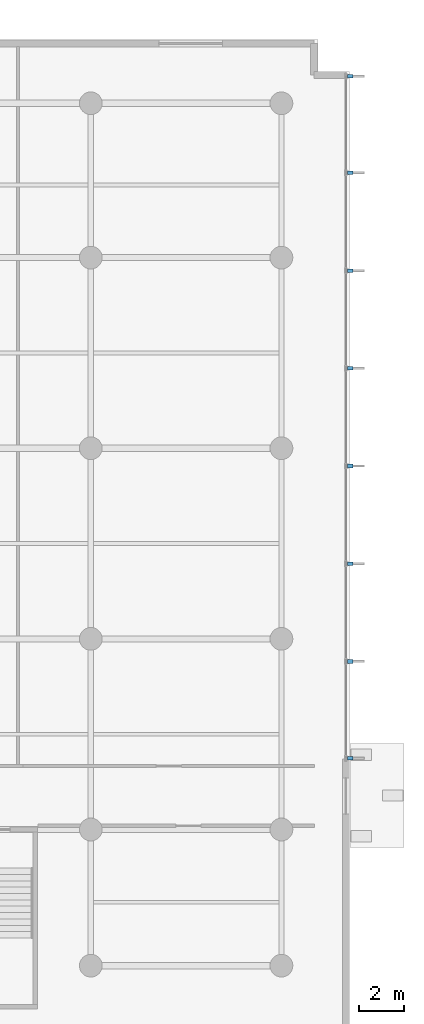
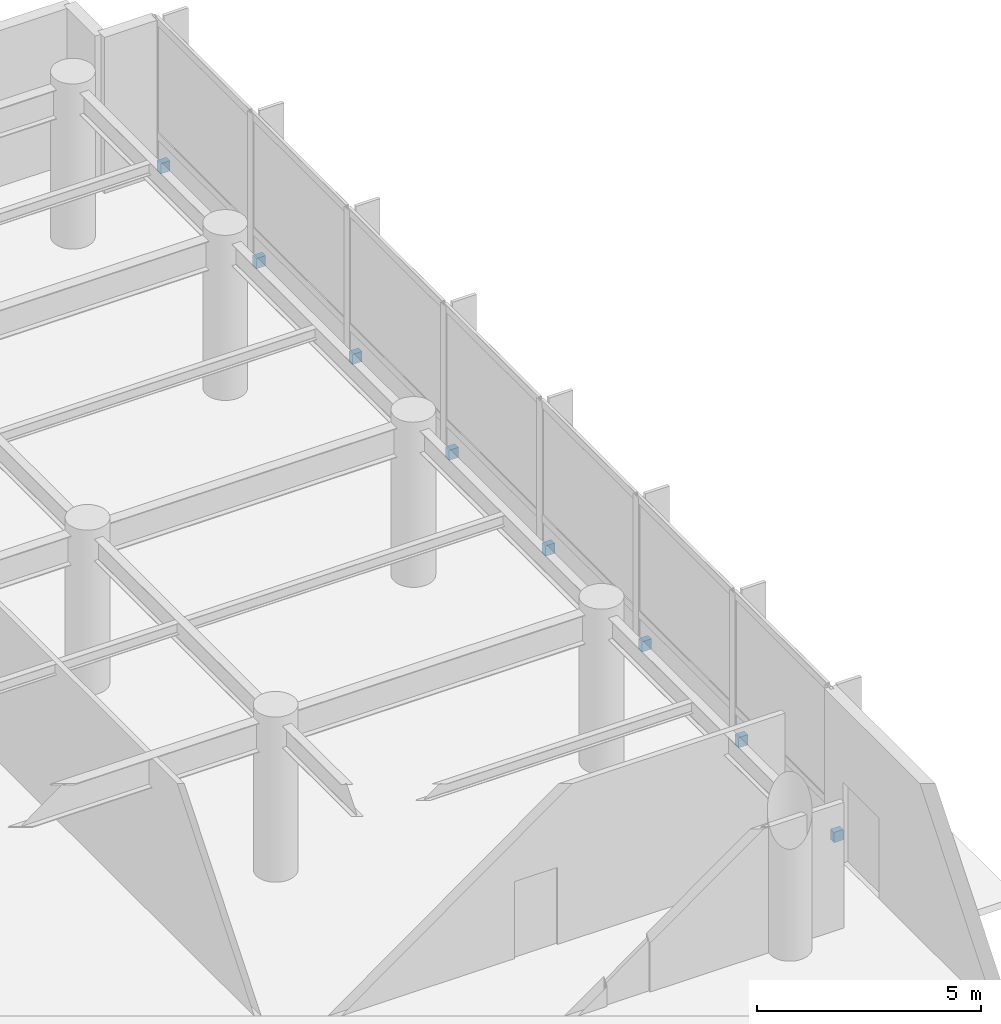
# One storey, part 19 of 26: 8 discrete accessories.
"""IFC4 building model written with IfcOpenShell, lengths in metres."""

import ifcopenshell
import ifcopenshell.guid

model = None  # the IFC model being written
_history = None  # IfcOwnerHistory: only IFC2X3 demands one
_inside = {}  # id of a spatial element -> (the spatial element, [elements in it])
_under = {}  # id of a project, library or spatial element -> (it, [spatial elements below it])
_declared = {}  # id of a project -> (the project, [libraries it declares])
_typed = {}  # id of a type object -> (the type object, [elements of that type])
_made_of = {}  # id of a material, layer set ... -> (it, [elements and type objects made of it])


def new_model(schema):
    """Start an empty IFC model of exactly this schema.

    Asked for "IFC4X3", IfcOpenShell would pick the latest addendum, in which some entities
    have other attributes; the version numbers below select the first issue.
    IFC2X3 requires an IfcOwnerHistory on every rooted entity: one is made here for all.
    """
    global model, _history
    if schema == "IFC4X3":
        model = ifcopenshell.file(schema_version=(4, 3, 0, 0))
    else:
        model = ifcopenshell.file(schema=schema)
    _inside.clear()
    _under.clear()
    _declared.clear()
    _typed.clear()
    _made_of.clear()
    _history = None
    if model.schema == "IFC2X3":
        org = make("IfcOrganization", Name="unknown")
        user = make(
            "IfcPersonAndOrganization",
            ThePerson=make("IfcPerson", FamilyName="unknown"),
            TheOrganization=org,
        )
        app = make(
            "IfcApplication",
            ApplicationDeveloper=org,
            Version="unknown",
            ApplicationFullName="unknown",
            ApplicationIdentifier="unknown",
        )
        _history = make(
            "IfcOwnerHistory",
            OwningUser=user,
            OwningApplication=app,
            ChangeAction="ADDED",
            CreationDate=0,
        )
    return model


def make(cls, **values):
    """One entity of the class cls with the attributes given. An attribute that is None is left unset."""
    return model.create_entity(
        cls, **{name: value for name, value in values.items() if value is not None}
    )


def rooted(cls, **values):
    """An entity with a GlobalId (a new one), such as an element, a storey or a relation."""
    return make(cls, GlobalId=ifcopenshell.guid.new(), OwnerHistory=_history, **values)


def si_unit(unit_type, name, prefix=None):
    """IfcSIUnit, for example si_unit("LENGTHUNIT", "METRE", prefix="MILLI")."""
    return make("IfcSIUnit", UnitType=unit_type, Prefix=prefix, Name=name)


def assignment(units):
    """IfcUnitAssignment: the units of a project."""
    return None if units is None else make("IfcUnitAssignment", Units=units)


def point(xyz):
    """IfcCartesianPoint."""
    return None if xyz is None else make("IfcCartesianPoint", Coordinates=xyz)


def direction(xyz):
    """IfcDirection."""
    return None if xyz is None else make("IfcDirection", DirectionRatios=xyz)


def frame(location, z_axis=None, x_axis=None):
    """IfcAxis2Placement3D, a coordinate frame: its origin and axes. An axis left out is left unset."""
    return make(
        "IfcAxis2Placement3D",
        Location=point(location),
        Axis=direction(z_axis),
        RefDirection=direction(x_axis),
    )


def frame_2d(location, x_axis=None):
    """IfcAxis2Placement2D, a coordinate frame in the plane: its origin and x axis."""
    return make(
        "IfcAxis2Placement2D", Location=point(location), RefDirection=direction(x_axis)
    )


def origin():
    """The frame at (0, 0, 0) with its axes left unset."""
    return frame((0.0, 0.0, 0.0))


def origin_2d():
    """The frame at (0, 0) in the plane with its x axis left unset."""
    return frame_2d((0.0, 0.0))


def place(relative_to, where):
    """IfcLocalPlacement: puts the frame where relative to a parent placement (None: the world)."""
    return make(
        "IfcLocalPlacement", PlacementRelTo=relative_to, RelativePlacement=where
    )


def context(
    kind, dimensions, precision=None, world=None, true_north=None, identifier=None
):
    """IfcGeometricRepresentationContext, for example the 3D "Model" context."""
    return make(
        "IfcGeometricRepresentationContext",
        ContextIdentifier=identifier,
        ContextType=kind,
        CoordinateSpaceDimension=dimensions,
        Precision=precision,
        WorldCoordinateSystem=world,
        TrueNorth=true_north,
    )


def subcontext(parent, identifier, kind, view, scale=None):
    """IfcGeometricRepresentationSubContext, for example "Body" below "Model"."""
    return make(
        "IfcGeometricRepresentationSubContext",
        ContextIdentifier=identifier,
        ContextType=kind,
        ParentContext=parent,
        TargetScale=scale,
        TargetView=view,
    )


def project(units=None, contexts=None):
    """IfcProject with its units and contexts."""
    return rooted(
        "IfcProject",
        Name="project",
        RepresentationContexts=contexts,
        UnitsInContext=assignment(units),
    )


def spatial(cls, under=None, at=None, **own):
    """A site, building, storey or space (cls), placed at a placement, below another one or the project."""
    s = rooted(cls, ObjectPlacement=at, **own)
    if under is not None:
        _under.setdefault(under.id(), (under, []))[1].append(s)
    return s


def profile(cls, at=None, kind="AREA", **sizes):
    """A parametric profile (cls). Its sizes go by their IFC names, for example OverallWidth=200.0."""
    return make(cls, ProfileType=kind, Position=at, **sizes)


def rectangle(**sizes):
    """IfcRectangleProfileDef."""
    return profile("IfcRectangleProfileDef", **sizes)


def extrude(swept, where, along, depth):
    """IfcExtrudedAreaSolid: the profile swept, set in the frame where, extruded along a direction by depth."""
    return make(
        "IfcExtrudedAreaSolid",
        SweptArea=swept,
        Position=where,
        ExtrudedDirection=direction(along),
        Depth=depth,
    )


def shape(context_of_items, identifier, shape_type, items):
    """IfcShapeRepresentation: the items that make up one representation, for example the "Body"."""
    return make(
        "IfcShapeRepresentation",
        ContextOfItems=context_of_items,
        RepresentationIdentifier=identifier,
        RepresentationType=shape_type,
        Items=items,
    )


def material(Name=None, Category=None):
    """IfcMaterial."""
    return make("IfcMaterial", Name=Name, Category=Category)


def made_of(thing, what):
    """Note that an element or type object is made of a material, layer set ...; save() writes the relation."""
    if what is not None:
        _made_of.setdefault(what.id(), (what, []))[1].append(thing)
    return thing


def type_object(cls, material=None, **own):
    """A type object (cls), such as IfcWallType, which elements share."""
    return made_of(rooted(cls, **own), material)


def element(
    cls,
    number,
    at=None,
    inside=None,
    cuts=None,
    type_object=None,
    material=None,
    context=None,
    identifier="Body",
    shape_type=None,
    held_by="IfcProductDefinitionShape",
    body=None,
    shapes=None,
    **own,
):
    """One element of the class cls, such as IfcWall. Its Tag is "e" and its number.

    at: its placement. inside: the storey or other place that contains it. cuts: it is an
    opening in that element (IfcRelVoidsElement). A single representation is given by context,
    identifier, shape_type and body (its items); several are given by shapes. held_by: the class
    of the entity that holds the representations. save() writes the other relations.
    """
    e = rooted(cls, Tag="e%d" % number, ObjectPlacement=at, **own)
    if body is not None:
        shapes = [shape(context, identifier, shape_type, body)]
    if shapes is not None:
        e.Representation = make(held_by, Representations=shapes)
    if inside is not None:
        _inside.setdefault(inside.id(), (inside, []))[1].append(e)
    if cuts is not None:
        rooted(
            "IfcRelVoidsElement", RelatingBuildingElement=cuts, RelatedOpeningElement=e
        )
    if type_object is not None:
        _typed.setdefault(type_object.id(), (type_object, []))[1].append(e)
    return made_of(e, material)


def aggregate(whole, parts):
    """IfcRelAggregates: a whole, such as a stair, and the parts it consists of."""
    return rooted("IfcRelAggregates", RelatingObject=whole, RelatedObjects=parts)


def save(model, path):
    """Write the relations noted so far, then the file.

    IfcRelAggregates (storeys below a building ...), IfcRelContainedInSpatialStructure (elements
    in a storey), IfcRelDefinesByType, IfcRelAssociatesMaterial and IfcRelDeclares: one each for
    every whole, place, type object, material and project.
    """
    for whole, parts in _under.values():
        aggregate(whole, parts)
    for where, things in _inside.values():
        rooted(
            "IfcRelContainedInSpatialStructure",
            RelatedElements=things,
            RelatingStructure=where,
        )
    for kind, things in _typed.values():
        rooted("IfcRelDefinesByType", RelatedObjects=things, RelatingType=kind)
    for what, things in _made_of.values():
        rooted("IfcRelAssociatesMaterial", RelatedObjects=things, RelatingMaterial=what)
    for by, libraries in _declared.values():
        rooted("IfcRelDeclares", RelatingContext=by, RelatedDefinitions=libraries)
    model.write(path)


model = new_model("IFC4")

# Units and contexts
model_context = context("Model", 3, precision=1e-05, world=origin(), true_north=direction((0.0, 1.0)))
body_context = subcontext(model_context, "Body", "Model", "MODEL_VIEW")
ifc_project = project(units=[si_unit("LENGTHUNIT", "METRE"), si_unit("AREAUNIT", "SQUARE_METRE"), si_unit("VOLUMEUNIT", "CUBIC_METRE"), si_unit("PLANEANGLEUNIT", "RADIAN"), si_unit("MASSUNIT", "GRAM", prefix="KILO")], contexts=[model_context])

# Site, building, storey
site_placement = place(None, origin())
site = spatial("IfcSite", under=ifc_project, at=site_placement, CompositionType="ELEMENT")
building_placement = place(site_placement, origin())
building = spatial("IfcBuilding", under=site, at=building_placement, Name="Varnakote Quay Hospital", CompositionType="ELEMENT")
storey_placement = place(building_placement, origin())
storey = spatial("IfcBuildingStorey", under=building, at=storey_placement, Name="L00", CompositionType="ELEMENT", Elevation=0.0)

# Discrete accessories
ifc_material = material(Name="Anodised aluminium 6063-T6 Bronze", Category="aluminium")
discrete_accessory_type = type_object("IfcDiscreteAccessoryType", Name="ACC-FIN-BRACKET-180", PredefinedType="BRACKET", material=ifc_material)
for number, where, z_axis, x_axis, name in (
    (1, (87.030029296875, 15.142578125, 0.0), (0.0, 0.0, 1.0), (0.0, 1.0, 0.0), "L00 Curtain Wall Fin Fixing Bracket"),
    (2, (87.030029296875, 19.40576171875, 0.0), (0.0, 0.0, 1.0), (0.0, 1.0, 0.0), "L00 Curtain Wall Fin Fixing Bracket"),
    (3, (87.030029296875, 23.71142578125, 0.0), (0.0, 0.0, 1.0), (0.0, 1.0, 0.0), "L00 Curtain Wall Fin Fixing Bracket"),
    (4, (87.030029296875, 28.01708984375, 0.0), (0.0, 0.0, 1.0), (0.0, 1.0, 0.0), "L00 Curtain Wall Fin Fixing Bracket"),
    (5, (87.030029296875, 32.322998046875, 0.0), (0.0, 0.0, 1.0), (0.0, 1.0, 0.0), "L00 Curtain Wall Fin Fixing Bracket"),
    (6, (87.030029296875, 36.628662109375, 0.0), (0.0, 0.0, 1.0), (0.0, 1.0, 0.0), "L00 Curtain Wall Fin Fixing Bracket"),
    (7, (87.030029296875, 40.934326171875, 0.0), (0.0, 0.0, 1.0), (0.0, 1.0, 0.0), "L00 Curtain Wall Fin Fixing Bracket"),
    (8, (87.030029296875, 45.197509765625, 0.0), (0.0, 0.0, 1.0), (0.0, 1.0, 0.0), "L00 Curtain Wall Fin Fixing Bracket"),
):
    element("IfcDiscreteAccessory", number, at=place(storey_placement, frame(where, z_axis=z_axis, x_axis=x_axis)), inside=storey, type_object=discrete_accessory_type, Name=name, PredefinedType="BRACKET", context=body_context, shape_type="SweptSolid", body=[
        extrude(rectangle(XDim=0.159912109375, YDim=0.239990234375, at=origin_2d()), origin(), (0.0, 0.0, 1.0), 0.280029296875),
    ])

save(model, "model.ifc")
